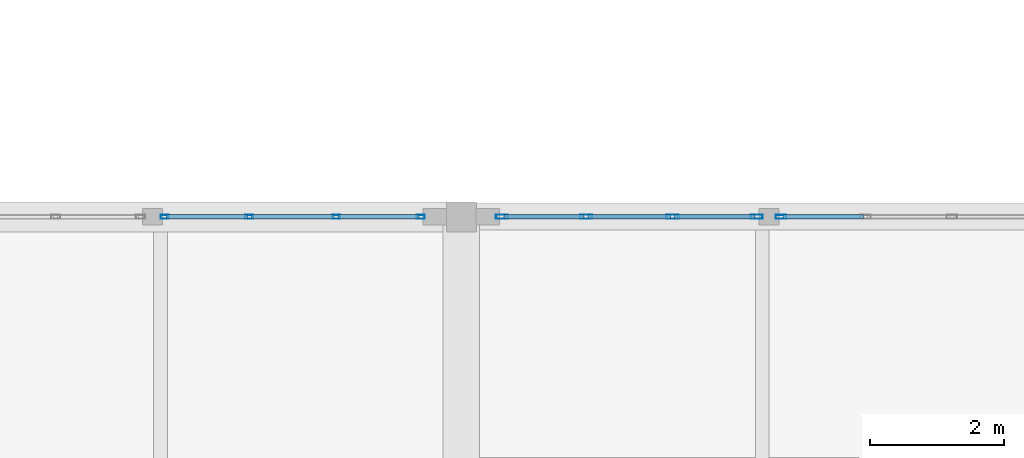
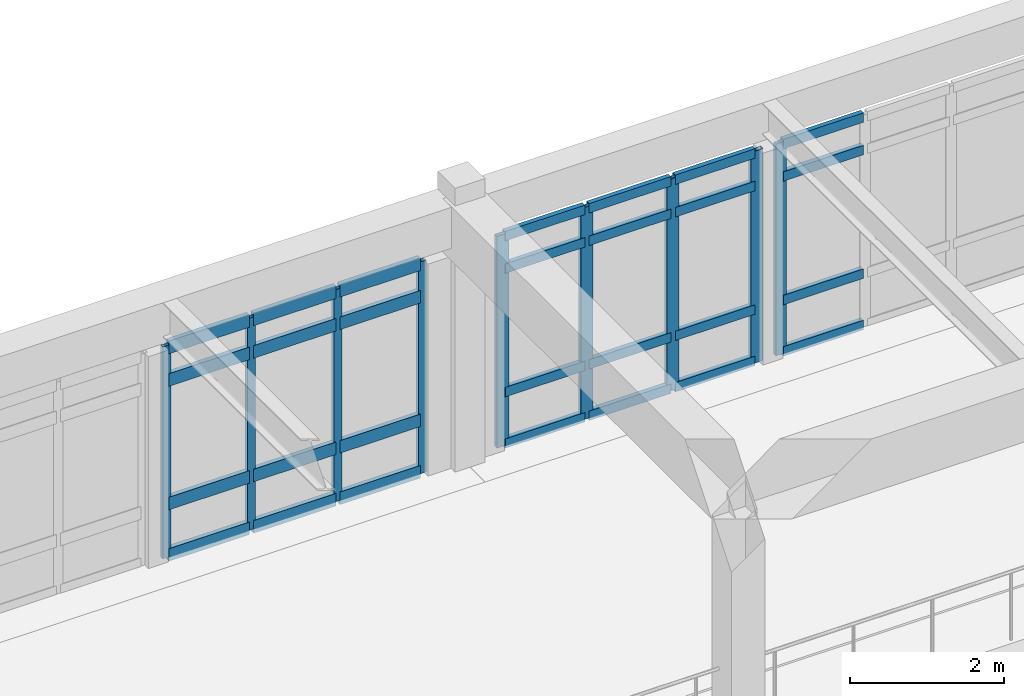
# One storey, part 30 of 109: 37 members, 3 elements without a shape of their own.
"""IFC4 building model written with IfcOpenShell, lengths in metres."""

import ifcopenshell
import ifcopenshell.guid

model = None  # the IFC model being written
_history = None  # IfcOwnerHistory: only IFC2X3 demands one
_inside = {}  # id of a spatial element -> (the spatial element, [elements in it])
_under = {}  # id of a project, library or spatial element -> (it, [spatial elements below it])
_declared = {}  # id of a project -> (the project, [libraries it declares])
_typed = {}  # id of a type object -> (the type object, [elements of that type])
_made_of = {}  # id of a material, layer set ... -> (it, [elements and type objects made of it])


def new_model(schema):
    """Start an empty IFC model of exactly this schema.

    Asked for "IFC4X3", IfcOpenShell would pick the latest addendum, in which some entities
    have other attributes; the version numbers below select the first issue.
    IFC2X3 requires an IfcOwnerHistory on every rooted entity: one is made here for all.
    """
    global model, _history
    if schema == "IFC4X3":
        model = ifcopenshell.file(schema_version=(4, 3, 0, 0))
    else:
        model = ifcopenshell.file(schema=schema)
    _inside.clear()
    _under.clear()
    _declared.clear()
    _typed.clear()
    _made_of.clear()
    _history = None
    if model.schema == "IFC2X3":
        org = make("IfcOrganization", Name="unknown")
        user = make(
            "IfcPersonAndOrganization",
            ThePerson=make("IfcPerson", FamilyName="unknown"),
            TheOrganization=org,
        )
        app = make(
            "IfcApplication",
            ApplicationDeveloper=org,
            Version="unknown",
            ApplicationFullName="unknown",
            ApplicationIdentifier="unknown",
        )
        _history = make(
            "IfcOwnerHistory",
            OwningUser=user,
            OwningApplication=app,
            ChangeAction="ADDED",
            CreationDate=0,
        )
    return model


def make(cls, **values):
    """One entity of the class cls with the attributes given. An attribute that is None is left unset."""
    return model.create_entity(
        cls, **{name: value for name, value in values.items() if value is not None}
    )


def rooted(cls, **values):
    """An entity with a GlobalId (a new one), such as an element, a storey or a relation."""
    return make(cls, GlobalId=ifcopenshell.guid.new(), OwnerHistory=_history, **values)


def si_unit(unit_type, name, prefix=None):
    """IfcSIUnit, for example si_unit("LENGTHUNIT", "METRE", prefix="MILLI")."""
    return make("IfcSIUnit", UnitType=unit_type, Prefix=prefix, Name=name)


def assignment(units):
    """IfcUnitAssignment: the units of a project."""
    return None if units is None else make("IfcUnitAssignment", Units=units)


def point(xyz):
    """IfcCartesianPoint."""
    return None if xyz is None else make("IfcCartesianPoint", Coordinates=xyz)


def direction(xyz):
    """IfcDirection."""
    return None if xyz is None else make("IfcDirection", DirectionRatios=xyz)


def frame(location, z_axis=None, x_axis=None):
    """IfcAxis2Placement3D, a coordinate frame: its origin and axes. An axis left out is left unset."""
    return make(
        "IfcAxis2Placement3D",
        Location=point(location),
        Axis=direction(z_axis),
        RefDirection=direction(x_axis),
    )


def frame_2d(location, x_axis=None):
    """IfcAxis2Placement2D, a coordinate frame in the plane: its origin and x axis."""
    return make(
        "IfcAxis2Placement2D", Location=point(location), RefDirection=direction(x_axis)
    )


def origin():
    """The frame at (0, 0, 0) with its axes left unset."""
    return frame((0.0, 0.0, 0.0))


def origin_2d():
    """The frame at (0, 0) in the plane with its x axis left unset."""
    return frame_2d((0.0, 0.0))


def place(relative_to, where):
    """IfcLocalPlacement: puts the frame where relative to a parent placement (None: the world)."""
    return make(
        "IfcLocalPlacement", PlacementRelTo=relative_to, RelativePlacement=where
    )


def context(
    kind, dimensions, precision=None, world=None, true_north=None, identifier=None
):
    """IfcGeometricRepresentationContext, for example the 3D "Model" context."""
    return make(
        "IfcGeometricRepresentationContext",
        ContextIdentifier=identifier,
        ContextType=kind,
        CoordinateSpaceDimension=dimensions,
        Precision=precision,
        WorldCoordinateSystem=world,
        TrueNorth=true_north,
    )


def subcontext(parent, identifier, kind, view, scale=None):
    """IfcGeometricRepresentationSubContext, for example "Body" below "Model"."""
    return make(
        "IfcGeometricRepresentationSubContext",
        ContextIdentifier=identifier,
        ContextType=kind,
        ParentContext=parent,
        TargetScale=scale,
        TargetView=view,
    )


def project(units=None, contexts=None):
    """IfcProject with its units and contexts."""
    return rooted(
        "IfcProject",
        Name="project",
        RepresentationContexts=contexts,
        UnitsInContext=assignment(units),
    )


def spatial(cls, under=None, at=None, **own):
    """A site, building, storey or space (cls), placed at a placement, below another one or the project."""
    s = rooted(cls, ObjectPlacement=at, **own)
    if under is not None:
        _under.setdefault(under.id(), (under, []))[1].append(s)
    return s


def profile(cls, at=None, kind="AREA", **sizes):
    """A parametric profile (cls). Its sizes go by their IFC names, for example OverallWidth=200.0."""
    return make(cls, ProfileType=kind, Position=at, **sizes)


def hollow_rectangle(**sizes):
    """IfcRectangleHollowProfileDef."""
    return profile("IfcRectangleHollowProfileDef", **sizes)


def extrude(swept, where, along, depth):
    """IfcExtrudedAreaSolid: the profile swept, set in the frame where, extruded along a direction by depth."""
    return make(
        "IfcExtrudedAreaSolid",
        SweptArea=swept,
        Position=where,
        ExtrudedDirection=direction(along),
        Depth=depth,
    )


def shape(context_of_items, identifier, shape_type, items):
    """IfcShapeRepresentation: the items that make up one representation, for example the "Body"."""
    return make(
        "IfcShapeRepresentation",
        ContextOfItems=context_of_items,
        RepresentationIdentifier=identifier,
        RepresentationType=shape_type,
        Items=items,
    )


def material(Name=None, Category=None):
    """IfcMaterial."""
    return make("IfcMaterial", Name=Name, Category=Category)


def layer(
    of_material, thickness, ventilated=None, Name=None, Category=None, Priority=None
):
    """IfcMaterialLayer: one layer of a wall or slab, of a material (None: an air gap)."""
    return make(
        "IfcMaterialLayer",
        Material=of_material,
        LayerThickness=thickness,
        IsVentilated=ventilated,
        Name=Name,
        Category=Category,
        Priority=Priority,
    )


def layer_set(layers, Name=None):
    """IfcMaterialLayerSet."""
    return make("IfcMaterialLayerSet", MaterialLayers=layers, LayerSetName=Name)


def material_profile(
    of_material, cross_section, Name=None, Category=None, Priority=None
):
    """IfcMaterialProfile: a cross section and its material."""
    return make(
        "IfcMaterialProfile",
        Name=Name,
        Material=of_material,
        Profile=cross_section,
        Priority=Priority,
        Category=Category,
    )


def profile_set(profiles, Name=None, composite=None):
    """IfcMaterialProfileSet."""
    return make(
        "IfcMaterialProfileSet",
        Name=Name,
        MaterialProfiles=profiles,
        CompositeProfile=composite,
    )


def made_of(thing, what):
    """Note that an element or type object is made of a material, layer set ...; save() writes the relation."""
    if what is not None:
        _made_of.setdefault(what.id(), (what, []))[1].append(thing)
    return thing


def type_object(cls, material=None, **own):
    """A type object (cls), such as IfcWallType, which elements share."""
    return made_of(rooted(cls, **own), material)


def element(
    cls,
    number,
    at=None,
    inside=None,
    cuts=None,
    type_object=None,
    material=None,
    context=None,
    identifier="Body",
    shape_type=None,
    held_by="IfcProductDefinitionShape",
    body=None,
    shapes=None,
    **own,
):
    """One element of the class cls, such as IfcWall. Its Tag is "e" and its number.

    at: its placement. inside: the storey or other place that contains it. cuts: it is an
    opening in that element (IfcRelVoidsElement). A single representation is given by context,
    identifier, shape_type and body (its items); several are given by shapes. held_by: the class
    of the entity that holds the representations. save() writes the other relations.
    """
    e = rooted(cls, Tag="e%d" % number, ObjectPlacement=at, **own)
    if body is not None:
        shapes = [shape(context, identifier, shape_type, body)]
    if shapes is not None:
        e.Representation = make(held_by, Representations=shapes)
    if inside is not None:
        _inside.setdefault(inside.id(), (inside, []))[1].append(e)
    if cuts is not None:
        rooted(
            "IfcRelVoidsElement", RelatingBuildingElement=cuts, RelatedOpeningElement=e
        )
    if type_object is not None:
        _typed.setdefault(type_object.id(), (type_object, []))[1].append(e)
    return made_of(e, material)


def aggregate(whole, parts):
    """IfcRelAggregates: a whole, such as a stair, and the parts it consists of."""
    return rooted("IfcRelAggregates", RelatingObject=whole, RelatedObjects=parts)


def save(model, path):
    """Write the relations noted so far, then the file.

    IfcRelAggregates (storeys below a building ...), IfcRelContainedInSpatialStructure (elements
    in a storey), IfcRelDefinesByType, IfcRelAssociatesMaterial and IfcRelDeclares: one each for
    every whole, place, type object, material and project.
    """
    for whole, parts in _under.values():
        aggregate(whole, parts)
    for where, things in _inside.values():
        rooted(
            "IfcRelContainedInSpatialStructure",
            RelatedElements=things,
            RelatingStructure=where,
        )
    for kind, things in _typed.values():
        rooted("IfcRelDefinesByType", RelatedObjects=things, RelatingType=kind)
    for what, things in _made_of.values():
        rooted("IfcRelAssociatesMaterial", RelatedObjects=things, RelatingMaterial=what)
    for by, libraries in _declared.values():
        rooted("IfcRelDeclares", RelatingContext=by, RelatedDefinitions=libraries)
    model.write(path)


model = new_model("IFC4")

# Units and contexts
model_context = context("Model", 3, precision=1e-05, world=origin(), true_north=direction((0.0, 1.0)))
body_context = subcontext(model_context, "Body", "Model", "MODEL_VIEW")
ifc_project = project(units=[si_unit("LENGTHUNIT", "METRE"), si_unit("AREAUNIT", "SQUARE_METRE"), si_unit("VOLUMEUNIT", "CUBIC_METRE"), si_unit("PLANEANGLEUNIT", "RADIAN"), si_unit("MASSUNIT", "GRAM", prefix="KILO")], contexts=[model_context])

# Site, building, storey
site_placement = place(None, origin())
site = spatial("IfcSite", under=ifc_project, at=site_placement, CompositionType="ELEMENT")
building_placement = place(site_placement, origin())
building = spatial("IfcBuilding", under=site, at=building_placement, Name="Fikremerkos Civic Library", CompositionType="ELEMENT")
storey_placement = place(building_placement, frame((0.0, 0.0, 5.39990234375)))
storey = spatial("IfcBuildingStorey", under=building, at=storey_placement, Name="L01", CompositionType="ELEMENT", Elevation=5.39990234375)

# Curtain wall, members
ifc_material = material(Name="Anodized aluminium Frame", Category="aluminium")
ifc_layer_1 = layer(ifc_material, 0.159912109375, Name="Anodized aluminium Frame")
ifc_layer_set_1 = layer_set([ifc_layer_1], Name="Anodized aluminium Frame")
curtain_wall_type_1 = type_object("IfcCurtainWallType", Name="Unitised curtain wall CW-17 4600x3600", PredefinedType="USERDEFINED", material=ifc_layer_set_1)
curtain_wall_1_placement = place(storey_placement, origin())
curtain_wall_1 = element("IfcCurtainWall", 1, at=curtain_wall_1_placement, inside=storey, type_object=curtain_wall_type_1, Name="Unitised curtain wall CW-17 L01 #89", ObjectType="UNITISED CURTAIN WALL", PredefinedType="USERDEFINED")
ifc_material_profile_1 = material_profile(ifc_material, hollow_rectangle(XDim=0.06494140625, YDim=0.179931640625, WallThickness=0.00439453125, at=origin_2d()), Name="ALU 180x65x4.5")
ifc_profile_set_1 = profile_set([ifc_material_profile_1], Name="Anodized aluminium Frame")
member_type_1 = type_object("IfcMemberType", Name="Curtain mullion CWM-01 ALU 180x65x4.5", PredefinedType="MULLION", material=ifc_profile_set_1)
member_1_placement = place(storey_placement, frame((73.805419921875, 48.0, 0.0), z_axis=(0.0, 0.0, 1.0), x_axis=(0.0, 1.0, 0.0)))
member_1 = element("IfcMember", 2, at=member_1_placement, type_object=member_type_1, Name="CW-17 mullion 1", PredefinedType="MULLION", context=body_context, shape_type="SweptSolid", body=[
    extrude(hollow_rectangle(XDim=0.06494140625, YDim=0.179931640625, WallThickness=0.00439453125, at=origin_2d()), origin(), (0.0, 0.0, 1.0), 3.360107421875),
])
member_2_placement = place(storey_placement, frame((75.065185546875, 48.0, 0.0), z_axis=(0.0, 0.0, 1.0), x_axis=(0.0, 1.0, 0.0)))
member_2 = element("IfcMember", 3, at=member_2_placement, type_object=member_type_1, Name="CW-17 mullion 2", PredefinedType="MULLION", context=body_context, shape_type="SweptSolid", body=[
    extrude(hollow_rectangle(XDim=0.06494140625, YDim=0.179931640625, WallThickness=0.00439453125, at=origin_2d()), origin(), (0.0, 0.0, 1.0), 3.360107421875),
])
member_3_placement = place(storey_placement, frame((76.357177734375, 48.0, 0.0), z_axis=(0.0, 0.0, 1.0), x_axis=(0.0, 1.0, 0.0)))
member_3 = element("IfcMember", 4, at=member_3_placement, type_object=member_type_1, Name="CW-17 mullion 3", PredefinedType="MULLION", context=body_context, shape_type="SweptSolid", body=[
    extrude(hollow_rectangle(XDim=0.06494140625, YDim=0.179931640625, WallThickness=0.00439453125, at=origin_2d()), origin(), (0.0, 0.0, 1.0), 3.360107421875),
])
member_4_placement = place(storey_placement, frame((77.616943359375, 48.0, 0.0), z_axis=(0.0, 0.0, 1.0), x_axis=(0.0, 1.0, 0.0)))
member_4 = element("IfcMember", 5, at=member_4_placement, type_object=member_type_1, Name="CW-17 mullion 4", PredefinedType="MULLION", context=body_context, shape_type="SweptSolid", body=[
    extrude(hollow_rectangle(XDim=0.06494140625, YDim=0.179931640625, WallThickness=0.00439453125, at=origin_2d()), origin(), (0.0, 0.0, 1.0), 3.360107421875),
])

# Curtain wall, member
ifc_layer_2 = layer(ifc_material, 0.159912109375, Name="Anodized aluminium Frame")
ifc_layer_set_2 = layer_set([ifc_layer_2], Name="Anodized aluminium Frame")
curtain_wall_type_2 = type_object("IfcCurtainWallType", Name="Unitised curtain wall CW-18 2700x3400", PredefinedType="USERDEFINED", material=ifc_layer_set_2)
curtain_wall_2_placement = place(storey_placement, origin())
curtain_wall_2 = element("IfcCurtainWall", 6, at=curtain_wall_2_placement, inside=storey, type_object=curtain_wall_type_2, Name="Unitised curtain wall CW-18 L01 #90", ObjectType="UNITISED CURTAIN WALL", PredefinedType="USERDEFINED")
ifc_material_profile_2 = material_profile(ifc_material, hollow_rectangle(XDim=0.06005859375, YDim=0.159912109375, WallThickness=0.00390625, at=origin_2d()), Name="ALU 160x60x4")
ifc_profile_set_2 = profile_set([ifc_material_profile_2], Name="Anodized aluminium Frame")
member_type_2 = type_object("IfcMemberType", Name="Curtain mullion CWM-02 ALU 160x60x4", PredefinedType="MULLION", material=ifc_profile_set_2)
member_5_placement = place(storey_placement, frame((77.979248046875, 48.0, 0.0), z_axis=(0.0, 0.0, 1.0), x_axis=(0.0, 1.0, 0.0)))
member_5 = element("IfcMember", 7, at=member_5_placement, type_object=member_type_2, Name="CW-18 mullion 1", PredefinedType="MULLION", context=body_context, shape_type="SweptSolid", body=[
    extrude(hollow_rectangle(XDim=0.06005859375, YDim=0.159912109375, WallThickness=0.00390625, at=origin_2d()), origin(), (0.0, 0.0, 1.0), 3.360107421875),
])

# Curtain wall, members
ifc_layer_3 = layer(ifc_material, 0.159912109375, Name="Anodized aluminium Frame")
ifc_layer_set_3 = layer_set([ifc_layer_3], Name="Anodized aluminium Frame")
curtain_wall_type_3 = type_object("IfcCurtainWallType", Name="Unitised curtain wall CW-16 3100x4100", PredefinedType="USERDEFINED", material=ifc_layer_set_3)
curtain_wall_3_placement = place(storey_placement, origin())
curtain_wall_3 = element("IfcCurtainWall", 8, at=curtain_wall_3_placement, inside=storey, type_object=curtain_wall_type_3, Name="Unitised curtain wall CW-16 L01 #88", ObjectType="UNITISED CURTAIN WALL", PredefinedType="USERDEFINED")
ifc_material_profile_3 = material_profile(ifc_material, hollow_rectangle(XDim=0.06005859375, YDim=0.1201171875, WallThickness=0.00390625, at=origin_2d()), Name="ALU 120x60x4")
ifc_profile_set_3 = profile_set([ifc_material_profile_3], Name="Anodized aluminium Frame")
member_type_3 = type_object("IfcMemberType", Name="Curtain mullion CWM-04 ALU 120x60x4", PredefinedType="MULLION", material=ifc_profile_set_3)
member_6_placement = place(storey_placement, frame((68.763916015625, 48.0, 0.0), z_axis=(0.0, 0.0, 1.0), x_axis=(0.0, 1.0, 0.0)))
member_6 = element("IfcMember", 9, at=member_6_placement, type_object=member_type_3, Name="CW-16 mullion 1", PredefinedType="MULLION", context=body_context, shape_type="SweptSolid", body=[
    extrude(hollow_rectangle(XDim=0.06005859375, YDim=0.1201171875, WallThickness=0.00390625, at=origin_2d()), origin(), (0.0, 0.0, 1.0), 3.360107421875),
])
member_7_placement = place(storey_placement, frame((70.03173828125, 48.0, 0.0), z_axis=(0.0, 0.0, 1.0), x_axis=(0.0, 1.0, 0.0)))
member_7 = element("IfcMember", 10, at=member_7_placement, type_object=member_type_3, Name="CW-16 mullion 2", PredefinedType="MULLION", context=body_context, shape_type="SweptSolid", body=[
    extrude(hollow_rectangle(XDim=0.06005859375, YDim=0.1201171875, WallThickness=0.00390625, at=origin_2d()), origin(), (0.0, 0.0, 1.0), 3.360107421875),
])
member_8_placement = place(storey_placement, frame((71.329345703125, 48.0, 0.0), z_axis=(0.0, 0.0, 1.0), x_axis=(0.0, 1.0, 0.0)))
member_8 = element("IfcMember", 11, at=member_8_placement, type_object=member_type_3, Name="CW-16 mullion 3", PredefinedType="MULLION", context=body_context, shape_type="SweptSolid", body=[
    extrude(hollow_rectangle(XDim=0.06005859375, YDim=0.1201171875, WallThickness=0.00390625, at=origin_2d()), origin(), (0.0, 0.0, 1.0), 3.360107421875),
])
member_9_placement = place(storey_placement, frame((72.596923828125, 48.0, 0.0), z_axis=(0.0, 0.0, 1.0), x_axis=(0.0, 1.0, 0.0)))
member_9 = element("IfcMember", 12, at=member_9_placement, type_object=member_type_3, Name="CW-16 mullion 4", PredefinedType="MULLION", context=body_context, shape_type="SweptSolid", body=[
    extrude(hollow_rectangle(XDim=0.06005859375, YDim=0.1201171875, WallThickness=0.00390625, at=origin_2d()), origin(), (0.0, 0.0, 1.0), 3.360107421875),
])

# Member
ifc_material_profile_4 = material_profile(ifc_material, hollow_rectangle(XDim=0.070068359375, YDim=0.14990234375, WallThickness=0.00439453125, at=origin_2d()), Name="ALU 150x70x4.5")
ifc_profile_set_4 = profile_set([ifc_material_profile_4], Name="Anodized aluminium Frame")
member_type_4 = type_object("IfcMemberType", Name="Curtain transom CWT-01 ALU 150x70x4.5", PredefinedType="USERDEFINED", material=ifc_profile_set_4)
member_10_placement = place(storey_placement, frame((73.837890625, 48.0, 0.03515625), z_axis=(1.0, 0.0, 0.0), x_axis=(0.0, 1.0, 0.0)))
member_10 = element("IfcMember", 13, at=member_10_placement, type_object=member_type_4, Name="CW-17 transom 1.1", ObjectType="TRANSOM", PredefinedType="USERDEFINED", context=body_context, shape_type="SweptSolid", body=[
    extrude(hollow_rectangle(XDim=0.070068359375, YDim=0.14990234375, WallThickness=0.00439453125, at=origin_2d()), origin(), (0.0, 0.0, 1.0), 1.19482421875),
])

member_11_placement = place(storey_placement, frame((73.837890625, 48.0, 0.85009765625), z_axis=(1.0, 0.0, 0.0), x_axis=(0.0, 1.0, 0.0)))
member_11 = element("IfcMember", 14, at=member_11_placement, type_object=member_type_4, Name="CW-17 transom 1.2", ObjectType="TRANSOM", PredefinedType="USERDEFINED", context=body_context, shape_type="SweptSolid", body=[
    extrude(hollow_rectangle(XDim=0.070068359375, YDim=0.14990234375, WallThickness=0.00439453125, at=origin_2d()), origin(), (0.0, 0.0, 1.0), 1.19482421875),
])

member_12_placement = place(storey_placement, frame((73.837890625, 48.0, 2.81005859375), z_axis=(1.0, 0.0, 0.0), x_axis=(0.0, 1.0, 0.0)))
member_12 = element("IfcMember", 15, at=member_12_placement, type_object=member_type_4, Name="CW-17 transom 1.3", ObjectType="TRANSOM", PredefinedType="USERDEFINED", context=body_context, shape_type="SweptSolid", body=[
    extrude(hollow_rectangle(XDim=0.070068359375, YDim=0.14990234375, WallThickness=0.00439453125, at=origin_2d()), origin(), (0.0, 0.0, 1.0), 1.19482421875),
])

member_13_placement = place(storey_placement, frame((73.837890625, 48.0, 3.3251953125), z_axis=(1.0, 0.0, 0.0), x_axis=(0.0, 1.0, 0.0)))
member_13 = element("IfcMember", 16, at=member_13_placement, type_object=member_type_4, Name="CW-17 transom 1.4", ObjectType="TRANSOM", PredefinedType="USERDEFINED", context=body_context, shape_type="SweptSolid", body=[
    extrude(hollow_rectangle(XDim=0.070068359375, YDim=0.14990234375, WallThickness=0.00439453125, at=origin_2d()), origin(), (0.0, 0.0, 1.0), 1.19482421875),
])

member_14_placement = place(storey_placement, frame((75.09765625, 48.0, 0.03515625), z_axis=(1.0, 0.0, 0.0), x_axis=(0.0, 1.0, 0.0)))
member_14 = element("IfcMember", 17, at=member_14_placement, type_object=member_type_4, Name="CW-17 transom 2.1", ObjectType="TRANSOM", PredefinedType="USERDEFINED", context=body_context, shape_type="SweptSolid", body=[
    extrude(hollow_rectangle(XDim=0.070068359375, YDim=0.14990234375, WallThickness=0.00439453125, at=origin_2d()), origin(), (0.0, 0.0, 1.0), 1.22705078125),
])

member_15_placement = place(storey_placement, frame((75.09765625, 48.0, 0.85009765625), z_axis=(1.0, 0.0, 0.0), x_axis=(0.0, 1.0, 0.0)))
member_15 = element("IfcMember", 18, at=member_15_placement, type_object=member_type_4, Name="CW-17 transom 2.2", ObjectType="TRANSOM", PredefinedType="USERDEFINED", context=body_context, shape_type="SweptSolid", body=[
    extrude(hollow_rectangle(XDim=0.070068359375, YDim=0.14990234375, WallThickness=0.00439453125, at=origin_2d()), origin(), (0.0, 0.0, 1.0), 1.22705078125),
])

member_16_placement = place(storey_placement, frame((75.09765625, 48.0, 2.81005859375), z_axis=(1.0, 0.0, 0.0), x_axis=(0.0, 1.0, 0.0)))
member_16 = element("IfcMember", 19, at=member_16_placement, type_object=member_type_4, Name="CW-17 transom 2.3", ObjectType="TRANSOM", PredefinedType="USERDEFINED", context=body_context, shape_type="SweptSolid", body=[
    extrude(hollow_rectangle(XDim=0.070068359375, YDim=0.14990234375, WallThickness=0.00439453125, at=origin_2d()), origin(), (0.0, 0.0, 1.0), 1.22705078125),
])

member_17_placement = place(storey_placement, frame((75.09765625, 48.0, 3.3251953125), z_axis=(1.0, 0.0, 0.0), x_axis=(0.0, 1.0, 0.0)))
member_17 = element("IfcMember", 20, at=member_17_placement, type_object=member_type_4, Name="CW-17 transom 2.4", ObjectType="TRANSOM", PredefinedType="USERDEFINED", context=body_context, shape_type="SweptSolid", body=[
    extrude(hollow_rectangle(XDim=0.070068359375, YDim=0.14990234375, WallThickness=0.00439453125, at=origin_2d()), origin(), (0.0, 0.0, 1.0), 1.22705078125),
])

member_18_placement = place(storey_placement, frame((76.3896484375, 48.0, 0.03515625), z_axis=(1.0, 0.0, 0.0), x_axis=(0.0, 1.0, 0.0)))
member_18 = element("IfcMember", 21, at=member_18_placement, type_object=member_type_4, Name="CW-17 transom 3.1", ObjectType="TRANSOM", PredefinedType="USERDEFINED", context=body_context, shape_type="SweptSolid", body=[
    extrude(hollow_rectangle(XDim=0.070068359375, YDim=0.14990234375, WallThickness=0.00439453125, at=origin_2d()), origin(), (0.0, 0.0, 1.0), 1.194580078125),
])

member_19_placement = place(storey_placement, frame((76.3896484375, 48.0, 0.85009765625), z_axis=(1.0, 0.0, 0.0), x_axis=(0.0, 1.0, 0.0)))
member_19 = element("IfcMember", 22, at=member_19_placement, type_object=member_type_4, Name="CW-17 transom 3.2", ObjectType="TRANSOM", PredefinedType="USERDEFINED", context=body_context, shape_type="SweptSolid", body=[
    extrude(hollow_rectangle(XDim=0.070068359375, YDim=0.14990234375, WallThickness=0.00439453125, at=origin_2d()), origin(), (0.0, 0.0, 1.0), 1.194580078125),
])

member_20_placement = place(storey_placement, frame((76.3896484375, 48.0, 2.81005859375), z_axis=(1.0, 0.0, 0.0), x_axis=(0.0, 1.0, 0.0)))
member_20 = element("IfcMember", 23, at=member_20_placement, type_object=member_type_4, Name="CW-17 transom 3.3", ObjectType="TRANSOM", PredefinedType="USERDEFINED", context=body_context, shape_type="SweptSolid", body=[
    extrude(hollow_rectangle(XDim=0.070068359375, YDim=0.14990234375, WallThickness=0.00439453125, at=origin_2d()), origin(), (0.0, 0.0, 1.0), 1.194580078125),
])

member_21_placement = place(storey_placement, frame((76.3896484375, 48.0, 3.3251953125), z_axis=(1.0, 0.0, 0.0), x_axis=(0.0, 1.0, 0.0)))
member_21 = element("IfcMember", 24, at=member_21_placement, type_object=member_type_4, Name="CW-17 transom 3.4", ObjectType="TRANSOM", PredefinedType="USERDEFINED", context=body_context, shape_type="SweptSolid", body=[
    extrude(hollow_rectangle(XDim=0.070068359375, YDim=0.14990234375, WallThickness=0.00439453125, at=origin_2d()), origin(), (0.0, 0.0, 1.0), 1.194580078125),
])

aggregate(curtain_wall_1, [member_1, member_2, member_3, member_4, member_10, member_11, member_12, member_13, member_14, member_15, member_16, member_17, member_18, member_19, member_20, member_21])

member_22_placement = place(storey_placement, frame((78.00927734375, 48.0, 0.03515625), z_axis=(1.0, 0.0, 0.0), x_axis=(0.0, 1.0, 0.0)))
member_22 = element("IfcMember", 25, at=member_22_placement, type_object=member_type_4, Name="CW-18 transom 1.1", ObjectType="TRANSOM", PredefinedType="USERDEFINED", context=body_context, shape_type="SweptSolid", body=[
    extrude(hollow_rectangle(XDim=0.070068359375, YDim=0.14990234375, WallThickness=0.00439453125, at=origin_2d()), origin(), (0.0, 0.0, 1.0), 1.2021484375),
])

member_23_placement = place(storey_placement, frame((78.00927734375, 48.0, 0.85009765625), z_axis=(1.0, 0.0, 0.0), x_axis=(0.0, 1.0, 0.0)))
member_23 = element("IfcMember", 26, at=member_23_placement, type_object=member_type_4, Name="CW-18 transom 1.2", ObjectType="TRANSOM", PredefinedType="USERDEFINED", context=body_context, shape_type="SweptSolid", body=[
    extrude(hollow_rectangle(XDim=0.070068359375, YDim=0.14990234375, WallThickness=0.00439453125, at=origin_2d()), origin(), (0.0, 0.0, 1.0), 1.2021484375),
])

member_24_placement = place(storey_placement, frame((78.00927734375, 48.0, 2.81005859375), z_axis=(1.0, 0.0, 0.0), x_axis=(0.0, 1.0, 0.0)))
member_24 = element("IfcMember", 27, at=member_24_placement, type_object=member_type_4, Name="CW-18 transom 1.3", ObjectType="TRANSOM", PredefinedType="USERDEFINED", context=body_context, shape_type="SweptSolid", body=[
    extrude(hollow_rectangle(XDim=0.070068359375, YDim=0.14990234375, WallThickness=0.00439453125, at=origin_2d()), origin(), (0.0, 0.0, 1.0), 1.2021484375),
])

member_25_placement = place(storey_placement, frame((78.00927734375, 48.0, 3.3251953125), z_axis=(1.0, 0.0, 0.0), x_axis=(0.0, 1.0, 0.0)))
member_25 = element("IfcMember", 28, at=member_25_placement, type_object=member_type_4, Name="CW-18 transom 1.4", ObjectType="TRANSOM", PredefinedType="USERDEFINED", context=body_context, shape_type="SweptSolid", body=[
    extrude(hollow_rectangle(XDim=0.070068359375, YDim=0.14990234375, WallThickness=0.00439453125, at=origin_2d()), origin(), (0.0, 0.0, 1.0), 1.2021484375),
])

aggregate(curtain_wall_2, [member_5, member_22, member_23, member_24, member_25])

ifc_material_profile_5 = material_profile(ifc_material, hollow_rectangle(XDim=0.070068359375, YDim=0.199951171875, WallThickness=0.0048828125, at=origin_2d()), Name="ALU 200x70x5")
ifc_profile_set_5 = profile_set([ifc_material_profile_5], Name="Anodized aluminium Frame")
member_type_5 = type_object("IfcMemberType", Name="Curtain transom CWT-04 ALU 200x70x5", PredefinedType="USERDEFINED", material=ifc_profile_set_5)
member_26_placement = place(storey_placement, frame((68.7939453125, 48.0, 0.03515625), z_axis=(1.0, 0.0, 0.0), x_axis=(0.0, 1.0, 0.0)))
member_26 = element("IfcMember", 29, at=member_26_placement, type_object=member_type_5, Name="CW-16 transom 1.1", ObjectType="TRANSOM", PredefinedType="USERDEFINED", context=body_context, shape_type="SweptSolid", body=[
    extrude(hollow_rectangle(XDim=0.070068359375, YDim=0.199951171875, WallThickness=0.0048828125, at=origin_2d()), origin(), (0.0, 0.0, 1.0), 1.207763671875),
])

member_27_placement = place(storey_placement, frame((68.7939453125, 48.0, 0.85009765625), z_axis=(1.0, 0.0, 0.0), x_axis=(0.0, 1.0, 0.0)))
member_27 = element("IfcMember", 30, at=member_27_placement, type_object=member_type_5, Name="CW-16 transom 1.2", ObjectType="TRANSOM", PredefinedType="USERDEFINED", context=body_context, shape_type="SweptSolid", body=[
    extrude(hollow_rectangle(XDim=0.070068359375, YDim=0.199951171875, WallThickness=0.0048828125, at=origin_2d()), origin(), (0.0, 0.0, 1.0), 1.207763671875),
])

member_28_placement = place(storey_placement, frame((68.7939453125, 48.0, 2.81005859375), z_axis=(1.0, 0.0, 0.0), x_axis=(0.0, 1.0, 0.0)))
member_28 = element("IfcMember", 31, at=member_28_placement, type_object=member_type_5, Name="CW-16 transom 1.3", ObjectType="TRANSOM", PredefinedType="USERDEFINED", context=body_context, shape_type="SweptSolid", body=[
    extrude(hollow_rectangle(XDim=0.070068359375, YDim=0.199951171875, WallThickness=0.0048828125, at=origin_2d()), origin(), (0.0, 0.0, 1.0), 1.207763671875),
])

member_29_placement = place(storey_placement, frame((68.7939453125, 48.0, 3.3251953125), z_axis=(1.0, 0.0, 0.0), x_axis=(0.0, 1.0, 0.0)))
member_29 = element("IfcMember", 32, at=member_29_placement, type_object=member_type_5, Name="CW-16 transom 1.4", ObjectType="TRANSOM", PredefinedType="USERDEFINED", context=body_context, shape_type="SweptSolid", body=[
    extrude(hollow_rectangle(XDim=0.070068359375, YDim=0.199951171875, WallThickness=0.0048828125, at=origin_2d()), origin(), (0.0, 0.0, 1.0), 1.207763671875),
])

member_30_placement = place(storey_placement, frame((70.061767578125, 48.0, 0.03515625), z_axis=(1.0, 0.0, 0.0), x_axis=(0.0, 1.0, 0.0)))
member_30 = element("IfcMember", 33, at=member_30_placement, type_object=member_type_5, Name="CW-16 transom 2.1", ObjectType="TRANSOM", PredefinedType="USERDEFINED", context=body_context, shape_type="SweptSolid", body=[
    extrude(hollow_rectangle(XDim=0.070068359375, YDim=0.199951171875, WallThickness=0.0048828125, at=origin_2d()), origin(), (0.0, 0.0, 1.0), 1.237548828125),
])

member_31_placement = place(storey_placement, frame((70.061767578125, 48.0, 0.85009765625), z_axis=(1.0, 0.0, 0.0), x_axis=(0.0, 1.0, 0.0)))
member_31 = element("IfcMember", 34, at=member_31_placement, type_object=member_type_5, Name="CW-16 transom 2.2", ObjectType="TRANSOM", PredefinedType="USERDEFINED", context=body_context, shape_type="SweptSolid", body=[
    extrude(hollow_rectangle(XDim=0.070068359375, YDim=0.199951171875, WallThickness=0.0048828125, at=origin_2d()), origin(), (0.0, 0.0, 1.0), 1.237548828125),
])

member_32_placement = place(storey_placement, frame((70.061767578125, 48.0, 2.81005859375), z_axis=(1.0, 0.0, 0.0), x_axis=(0.0, 1.0, 0.0)))
member_32 = element("IfcMember", 35, at=member_32_placement, type_object=member_type_5, Name="CW-16 transom 2.3", ObjectType="TRANSOM", PredefinedType="USERDEFINED", context=body_context, shape_type="SweptSolid", body=[
    extrude(hollow_rectangle(XDim=0.070068359375, YDim=0.199951171875, WallThickness=0.0048828125, at=origin_2d()), origin(), (0.0, 0.0, 1.0), 1.237548828125),
])

member_33_placement = place(storey_placement, frame((70.061767578125, 48.0, 3.3251953125), z_axis=(1.0, 0.0, 0.0), x_axis=(0.0, 1.0, 0.0)))
member_33 = element("IfcMember", 36, at=member_33_placement, type_object=member_type_5, Name="CW-16 transom 2.4", ObjectType="TRANSOM", PredefinedType="USERDEFINED", context=body_context, shape_type="SweptSolid", body=[
    extrude(hollow_rectangle(XDim=0.070068359375, YDim=0.199951171875, WallThickness=0.0048828125, at=origin_2d()), origin(), (0.0, 0.0, 1.0), 1.237548828125),
])

member_34_placement = place(storey_placement, frame((71.359375, 48.0, 0.03515625), z_axis=(1.0, 0.0, 0.0), x_axis=(0.0, 1.0, 0.0)))
member_34 = element("IfcMember", 37, at=member_34_placement, type_object=member_type_5, Name="CW-16 transom 3.1", ObjectType="TRANSOM", PredefinedType="USERDEFINED", context=body_context, shape_type="SweptSolid", body=[
    extrude(hollow_rectangle(XDim=0.070068359375, YDim=0.199951171875, WallThickness=0.0048828125, at=origin_2d()), origin(), (0.0, 0.0, 1.0), 1.20751953125),
])

member_35_placement = place(storey_placement, frame((71.359375, 48.0, 0.85009765625), z_axis=(1.0, 0.0, 0.0), x_axis=(0.0, 1.0, 0.0)))
member_35 = element("IfcMember", 38, at=member_35_placement, type_object=member_type_5, Name="CW-16 transom 3.2", ObjectType="TRANSOM", PredefinedType="USERDEFINED", context=body_context, shape_type="SweptSolid", body=[
    extrude(hollow_rectangle(XDim=0.070068359375, YDim=0.199951171875, WallThickness=0.0048828125, at=origin_2d()), origin(), (0.0, 0.0, 1.0), 1.20751953125),
])

member_36_placement = place(storey_placement, frame((71.359375, 48.0, 2.81005859375), z_axis=(1.0, 0.0, 0.0), x_axis=(0.0, 1.0, 0.0)))
member_36 = element("IfcMember", 39, at=member_36_placement, type_object=member_type_5, Name="CW-16 transom 3.3", ObjectType="TRANSOM", PredefinedType="USERDEFINED", context=body_context, shape_type="SweptSolid", body=[
    extrude(hollow_rectangle(XDim=0.070068359375, YDim=0.199951171875, WallThickness=0.0048828125, at=origin_2d()), origin(), (0.0, 0.0, 1.0), 1.20751953125),
])

member_37_placement = place(storey_placement, frame((71.359375, 48.0, 3.3251953125), z_axis=(1.0, 0.0, 0.0), x_axis=(0.0, 1.0, 0.0)))
member_37 = element("IfcMember", 40, at=member_37_placement, type_object=member_type_5, Name="CW-16 transom 3.4", ObjectType="TRANSOM", PredefinedType="USERDEFINED", context=body_context, shape_type="SweptSolid", body=[
    extrude(hollow_rectangle(XDim=0.070068359375, YDim=0.199951171875, WallThickness=0.0048828125, at=origin_2d()), origin(), (0.0, 0.0, 1.0), 1.20751953125),
])

aggregate(curtain_wall_3, [member_6, member_7, member_8, member_9, member_26, member_27, member_28, member_29, member_30, member_31, member_32, member_33, member_34, member_35, member_36, member_37])

save(model, "model.ifc")
